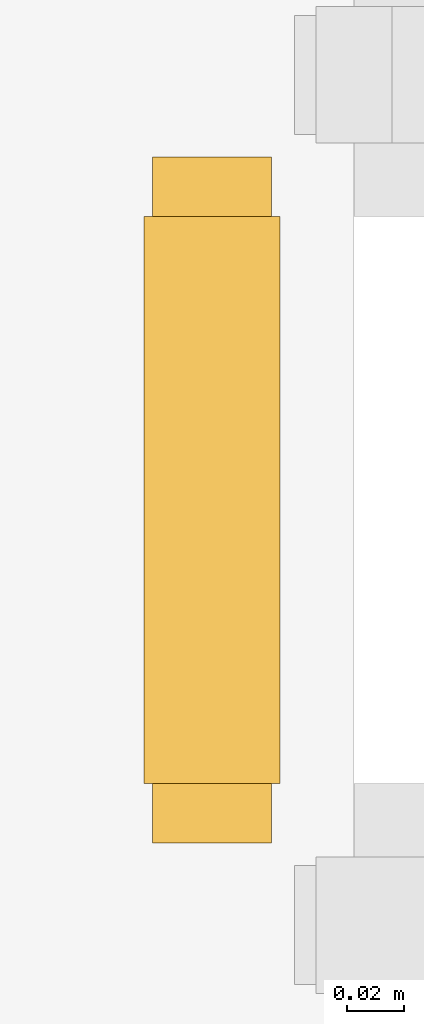
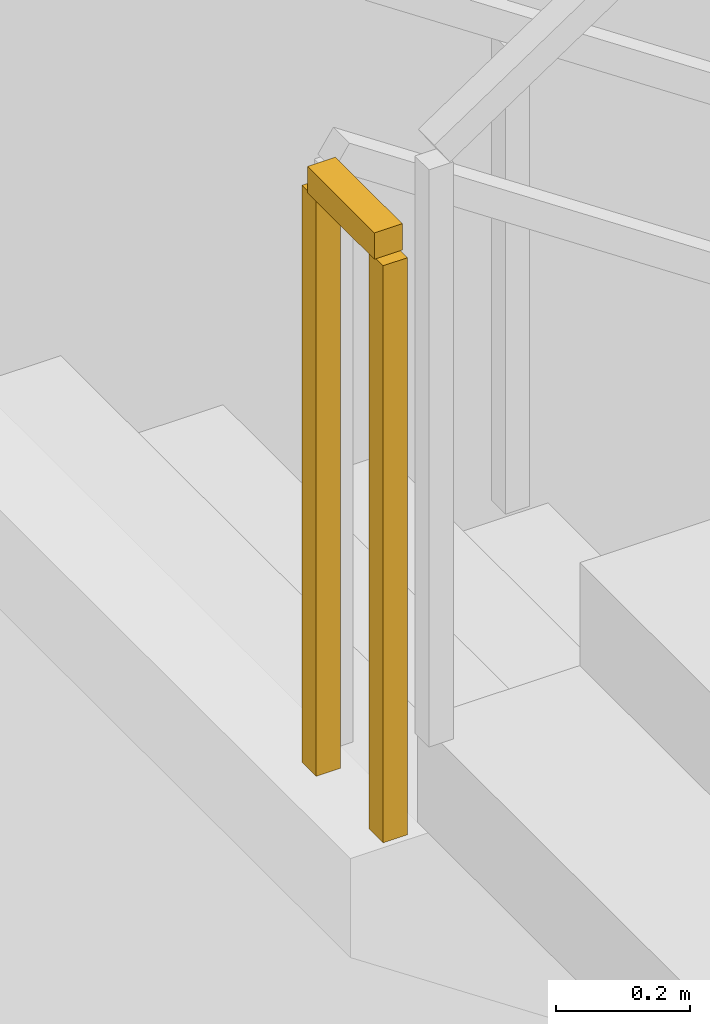
# One storey, part 32 of 36: 1 railing.
"""IFC4 building model written with IfcOpenShell, lengths in metres."""

from ifc_helpers import new_model, si_unit, direction, frame, origin, origin_2d, place, context, subcontext, project, spatial, rectangle, extrude, source, transform, mapped, material, type_object, type_shapes, element, save


model = new_model("IFC4")

# Units and contexts
model_context = context("Model", 3, precision=1e-05, world=origin(), true_north=direction((0.0, 1.0)))
body_context = subcontext(model_context, "Body", "Model", "MODEL_VIEW")
ifc_project = project(units=[si_unit("LENGTHUNIT", "METRE"), si_unit("AREAUNIT", "SQUARE_METRE"), si_unit("VOLUMEUNIT", "CUBIC_METRE"), si_unit("PLANEANGLEUNIT", "RADIAN"), si_unit("MASSUNIT", "GRAM", prefix="KILO")], contexts=[model_context])

# Site, building, storey
site_placement = place(None, origin())
site = spatial("IfcSite", under=ifc_project, at=site_placement, CompositionType="ELEMENT")
building_placement = place(site_placement, origin())
building = spatial("IfcBuilding", under=site, at=building_placement, Name="Astriad Promenade Condominiums", CompositionType="ELEMENT")
storey_placement = place(building_placement, frame((0.0, 0.0, 5.0)))
storey = spatial("IfcBuildingStorey", under=building, at=storey_placement, Name="L01", CompositionType="ELEMENT", Elevation=5.0)

# Railing
ifc_material = material(Name="Painted Galvanised Steel Guardrail", Category="steel")
railing_type = type_object("IfcRailingType", Name="GRD-STAIR-1100", PredefinedType="GUARDRAIL", material=ifc_material)
shared_shape = source(origin(), body_context, "Body", "SweptSolid", [
    extrude(rectangle(XDim=0.048095703125, YDim=0.048095703125, at=origin_2d()), frame((0.0, 0.0, 1.076171875), z_axis=(0.0, -1.0, 0.0), x_axis=(1.0, 0.0, 0.0)), (0.0, 0.0, 1.0), 0.199951171875),
    extrude(rectangle(XDim=0.0419921875, YDim=0.0419921875, at=origin_2d()), origin(), (0.0, 0.0, 1.0), 1.052001953125),
    extrude(rectangle(XDim=0.0419921875, YDim=0.0419921875, at=origin_2d()), frame((0.0, -0.199951171875, 0.0)), (0.0, 0.0, 1.0), 1.052001953125),
])
type_shapes(railing_type, [shared_shape])
railing_placement = place(storey_placement, frame((40.719970703125, 22.25, 2.25)))
element("IfcRailing", 1, at=railing_placement, inside=storey, type_object=railing_type, Name="L01 ST-2 stair guard 2", PredefinedType="GUARDRAIL", context=body_context, shape_type="MappedRepresentation", body=[
    mapped(shared_shape, transform((0.0, 0.0, 0.0), scale=1.0)),
])

save(model, "model.ifc")
